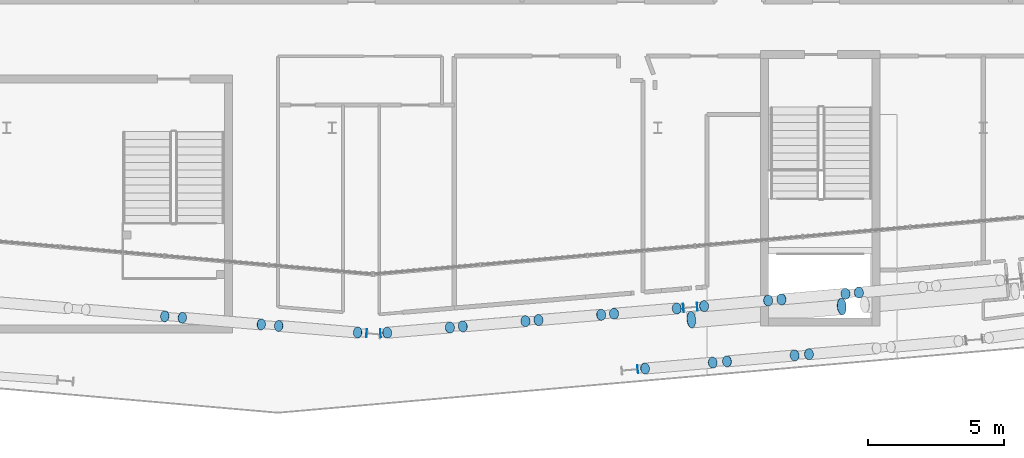
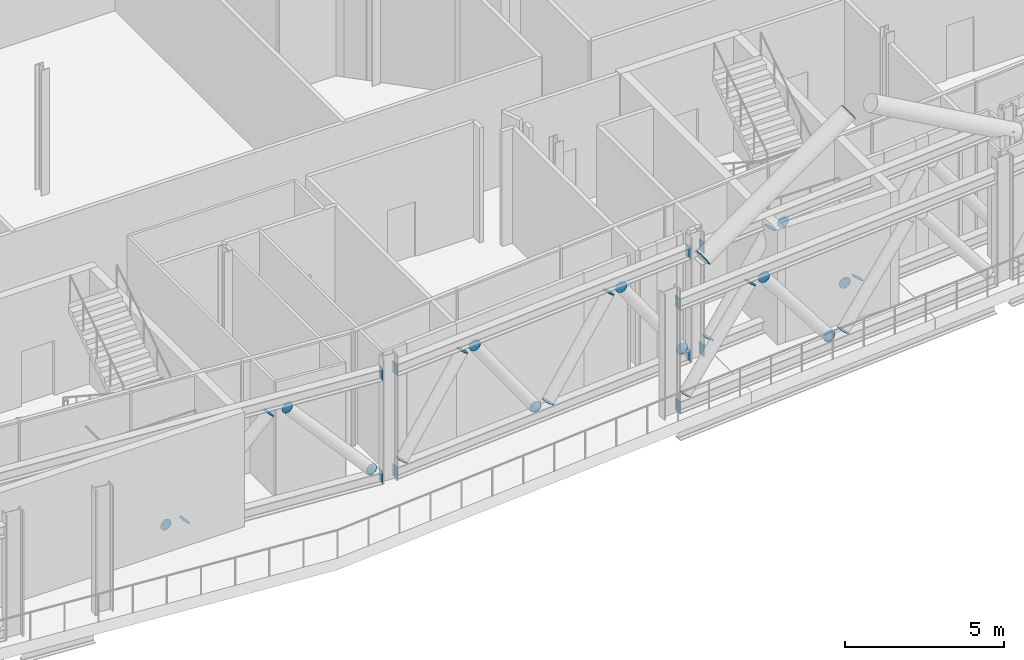
# One storey, part 23 of 35: 35 discrete accessories.
"""IFC4 building model written with IfcOpenShell, lengths in metres."""

from ifc_helpers import new_model, si_unit, direction, frame, origin, origin_2d, place, context, subcontext, project, spatial, rectangle, circle, extrude, material, material_profile, profile_set, type_object, element, save


model = new_model("IFC4")

# Units and contexts
model_context = context("Model", 3, precision=1e-05, world=origin(), true_north=direction((0.0, 1.0)))
body_context = subcontext(model_context, "Body", "Model", "MODEL_VIEW")
ifc_project = project(units=[si_unit("LENGTHUNIT", "METRE"), si_unit("AREAUNIT", "SQUARE_METRE"), si_unit("VOLUMEUNIT", "CUBIC_METRE"), si_unit("PLANEANGLEUNIT", "RADIAN"), si_unit("MASSUNIT", "GRAM", prefix="KILO")], contexts=[model_context])

# Site, building, storey
site_placement = place(None, origin())
site = spatial("IfcSite", under=ifc_project, at=site_placement, CompositionType="ELEMENT")
building_placement = place(site_placement, origin())
building = spatial("IfcBuilding", under=site, at=building_placement, Name="Wharfspan Tower", CompositionType="ELEMENT")
storey_placement = place(building_placement, frame((0.0, 0.0, 202.300049)))
storey = spatial("IfcBuildingStorey", under=building, at=storey_placement, Name="L50", CompositionType="ELEMENT", Elevation=202.300049)

# Discrete accessories
ifc_material_1 = material(Name="Steel S460NH", Category="steel")
ifc_material_profile_1 = material_profile(ifc_material_1, circle(Radius=0.203125, at=origin_2d()))
ifc_profile_set_1 = profile_set([ifc_material_profile_1], Name="Steel S460NH")
discrete_accessory_type_1 = type_object("IfcDiscreteAccessoryType", Name="End plate CHS 406x16", PredefinedType="BRACKET", material=ifc_profile_set_1)
for number, where, z_axis, x_axis, name in (
    (1, (41.827148, 4.550049, 0.586182), (0.656005, -0.048593, -0.753191), (0.073872, 0.997271, 0.0), "End plate CHS 406x16"),
    (2, (42.470459, 4.49585, 0.578613), (0.656005, -0.048593, 0.753191), (0.073872, 0.997271, 0.0), "End plate CHS 406x16"),
):
    element("IfcDiscreteAccessory", number, at=place(storey_placement, frame(where, z_axis=z_axis, x_axis=x_axis)), inside=storey, type_object=discrete_accessory_type_1, Name=name, PredefinedType="BRACKET", context=body_context, shape_type="SweptSolid", body=[
        extrude(circle(Radius=0.203125, at=origin_2d()), origin(), (0.0, 0.0, 1.0), 0.01001),
    ])
discrete_accessory_1_placement = place(storey_placement, frame((45.381836, 4.250732, 3.813721), z_axis=(0.669519, -0.047823, 0.741254), x_axis=(0.071246, 0.997455, 1e-06)))
element("IfcDiscreteAccessory", 3, at=discrete_accessory_1_placement, inside=storey, type_object=discrete_accessory_type_1, Name="End plate CHS 406x16", PredefinedType="BRACKET", context=body_context, shape_type="SweptSolid", body=[
    extrude(circle(Radius=0.203125, at=origin_2d()), origin(), (0.0, 0.0, 1.0), 0.010254),
])
for number, where, z_axis, x_axis, name in (
    (4, (46.025391, 4.196533, 3.821289), (0.656005, -0.048593, -0.753191), (0.073872, 0.997271, 0.0), "End plate CHS 406x16"),
    (5, (48.936768, 3.951416, 0.586182), (0.656005, -0.048593, -0.753191), (0.073872, 0.997271, 0.0), "End plate CHS 406x16"),
    (6, (50.023682, 3.943848, 0.559326), (0.587466, 0.048956, 0.807766), (-0.083046, 0.996542, 0.0), "End plate CHS 406x16"),
):
    element("IfcDiscreteAccessory", number, at=place(storey_placement, frame(where, z_axis=z_axis, x_axis=x_axis)), inside=storey, type_object=discrete_accessory_type_1, Name=name, PredefinedType="BRACKET", context=body_context, shape_type="SweptSolid", body=[
        extrude(circle(Radius=0.203125, at=origin_2d()), origin(), (0.0, 0.0, 1.0), 0.01001),
    ])
discrete_accessory_2_placement = place(storey_placement, frame((52.334473, 4.137207, 3.83252), z_axis=(0.571087, 0.04966, 0.819386), x_axis=(-0.08663, 0.99624, 0.0)))
element("IfcDiscreteAccessory", 7, at=discrete_accessory_2_placement, inside=storey, type_object=discrete_accessory_type_1, Name="End plate CHS 406x16", PredefinedType="BRACKET", context=body_context, shape_type="SweptSolid", body=[
    extrude(circle(Radius=0.203125, at=origin_2d()), origin(), (0.0, 0.0, 1.0), 0.009766),
])
discrete_accessory_3_placement = place(storey_placement, frame((52.812012, 4.177246, 3.840576), z_axis=(0.587466, 0.048956, -0.807766), x_axis=(-0.083046, 0.996542, 0.0)))
element("IfcDiscreteAccessory", 8, at=discrete_accessory_3_placement, inside=storey, type_object=discrete_accessory_type_1, Name="End plate CHS 406x16", PredefinedType="BRACKET", context=body_context, shape_type="SweptSolid", body=[
    extrude(circle(Radius=0.203125, at=origin_2d()), origin(), (0.0, 0.0, 1.0), 0.01001),
])
for number, where, z_axis, x_axis, name in (
    (9, (55.122803, 4.370605, 0.567383), (0.571087, 0.04966, -0.819386), (-0.08663, 0.99624, 0.0), "End plate CHS 406x16"),
    (10, (55.600586, 4.410645, 0.559326), (0.571087, 0.04966, 0.819386), (-0.08663, 0.99624, 0.0), "End plate CHS 406x16"),
):
    element("IfcDiscreteAccessory", number, at=place(storey_placement, frame(where, z_axis=z_axis, x_axis=x_axis)), inside=storey, type_object=discrete_accessory_type_1, Name=name, PredefinedType="BRACKET", context=body_context, shape_type="SweptSolid", body=[
        extrude(circle(Radius=0.203125, at=origin_2d()), origin(), (0.0, 0.0, 1.0), 0.009766),
    ])
discrete_accessory_4_placement = place(storey_placement, frame((57.911133, 4.604004, 3.83252), z_axis=(0.587466, 0.048956, 0.807766), x_axis=(-0.083046, 0.996542, 0.0)))
element("IfcDiscreteAccessory", 11, at=discrete_accessory_4_placement, inside=storey, type_object=discrete_accessory_type_1, Name="End plate CHS 406x16", PredefinedType="BRACKET", context=body_context, shape_type="SweptSolid", body=[
    extrude(circle(Radius=0.203125, at=origin_2d()), origin(), (0.0, 0.0, 1.0), 0.01001),
])
discrete_accessory_5_placement = place(storey_placement, frame((58.388916, 4.644043, 3.840576), z_axis=(0.571087, 0.04966, -0.819386), x_axis=(-0.08663, 0.99624, 0.0)))
element("IfcDiscreteAccessory", 12, at=discrete_accessory_5_placement, inside=storey, type_object=discrete_accessory_type_1, Name="End plate CHS 406x16", PredefinedType="BRACKET", context=body_context, shape_type="SweptSolid", body=[
    extrude(circle(Radius=0.203125, at=origin_2d()), origin(), (0.0, 0.0, 1.0), 0.009766),
])
discrete_accessory_6_placement = place(storey_placement, frame((60.699463, 4.837158, 0.567383), z_axis=(0.587466, 0.048956, -0.807766), x_axis=(-0.083046, 0.996542, 0.0)))
element("IfcDiscreteAccessory", 13, at=discrete_accessory_6_placement, inside=storey, type_object=discrete_accessory_type_1, Name="End plate CHS 406x16", PredefinedType="BRACKET", context=body_context, shape_type="SweptSolid", body=[
    extrude(circle(Radius=0.203125, at=origin_2d()), origin(), (0.0, 0.0, 1.0), 0.01001),
])
for number, where, z_axis, x_axis, name in (
    (14, (61.706055, 4.92334, 0.561035), (0.576018, 0.048002, 0.816026), (-0.083046, 0.996542, 0.0), "End plate CHS 406x16"),
    (15, (64.067383, 5.130127, 3.830566), (0.576018, 0.048002, 0.816026), (-0.083046, 0.996542, 0.0), "End plate CHS 406x16"),
    (16, (64.558838, 5.173096, 3.838867), (0.576018, 0.048002, -0.816026), (-0.083046, 0.996542, 0.0), "End plate CHS 406x16"),
    (17, (66.920166, 5.379639, 0.569336), (0.576018, 0.048002, -0.816026), (-0.083046, 0.996542, 0.0), "End plate CHS 406x16"),
    (18, (67.411621, 5.422607, 0.561035), (0.576018, 0.048002, 0.816026), (-0.083046, 0.996542, 0.0), "End plate CHS 406x16"),
    (19, (59.530273, 2.623291, 0.565674), (0.602279, 0.072273, 0.795008), (-0.119146, 0.992879, 1e-06), "End plate CHS 406x16"),
):
    element("IfcDiscreteAccessory", number, at=place(storey_placement, frame(where, z_axis=z_axis, x_axis=x_axis)), inside=storey, type_object=discrete_accessory_type_1, Name=name, PredefinedType="BRACKET", context=body_context, shape_type="SweptSolid", body=[
        extrude(circle(Radius=0.203125, at=origin_2d()), origin(), (0.0, 0.0, 1.0), 0.010254),
    ])
for number, where, z_axis, x_axis, name in (
    (20, (62.023682, 2.841553, 3.826172), (0.603154, 0.048252, 0.796164), (-0.079745, 0.996819, 0.0), "End plate CHS 406x16"),
    (21, (62.551025, 2.887695, 3.834229), (0.603154, 0.048252, -0.796164), (-0.079745, 0.996819, 0.0), "End plate CHS 406x16"),
    (22, (65.044678, 3.105957, 0.57373), (0.603154, 0.048252, -0.796164), (-0.079745, 0.996819, 0.0), "End plate CHS 406x16"),
    (23, (65.572021, 3.1521, 0.565674), (0.603154, 0.048252, 0.796164), (-0.079745, 0.996819, 0.0), "End plate CHS 406x16"),
):
    element("IfcDiscreteAccessory", number, at=place(storey_placement, frame(where, z_axis=z_axis, x_axis=x_axis)), inside=storey, type_object=discrete_accessory_type_1, Name=name, PredefinedType="BRACKET", context=body_context, shape_type="SweptSolid", body=[
        extrude(circle(Radius=0.203125, at=origin_2d()), origin(), (0.0, 0.0, 1.0), 0.01001),
    ])
ifc_material_profile_2 = material_profile(ifc_material_1, circle(Radius=0.304932, at=origin_2d()))
ifc_profile_set_2 = profile_set([ifc_material_profile_2], Name="Steel S460NH")
discrete_accessory_type_2 = type_object("IfcDiscreteAccessoryType", Name="End plate CHS 610x25", PredefinedType="BRACKET", material=ifc_profile_set_2)
for number, where, z_axis, x_axis, name in (
    (24, (61.233398, 4.425293, 4.094727), (0.855186, 0.073302, 0.513112), (-0.085402, 0.996345, 1e-06), "End plate CHS 610x25"),
    (25, (66.778564, 4.9104, 7.44043), (0.844416, 0.072379, 0.530776), (-0.085402, 0.99635, 0.0), "End plate CHS 610x25"),
):
    element("IfcDiscreteAccessory", number, at=place(storey_placement, frame(where, z_axis=z_axis, x_axis=x_axis)), inside=storey, type_object=discrete_accessory_type_2, Name=name, PredefinedType="BRACKET", context=body_context, shape_type="SweptSolid", body=[
        extrude(circle(Radius=0.304932, at=origin_2d()), origin(), (0.0, 0.0, 1.0), 0.01001),
    ])
ifc_material_2 = material(Name="Steel S355J2", Category="steel")
ifc_material_profile_3 = material_profile(ifc_material_2, rectangle(XDim=0.300049, YDim=0.449951, at=origin_2d()))
ifc_profile_set_3 = profile_set([ifc_material_profile_3], Name="Steel S355J2")
discrete_accessory_type_3 = type_object("IfcDiscreteAccessoryType", Name="End plate HEB 450", PredefinedType="BRACKET", material=ifc_profile_set_3)
for number, where, z_axis, x_axis, name in (
    (26, (49.261719, 3.924072, 4.175049), (0.995275, -0.0971, 0.0), (0.0971, 0.995275, 0.0), "End plate HEB 450"),
    (27, (49.261719, 3.924072, 0.224854), (0.995275, -0.0971, 0.0), (0.0971, 0.995275, 0.0), "End plate HEB 450"),
    (28, (49.777832, 3.92334, 4.175049), (0.995275, 0.0971, 0.0), (-0.0971, 0.995275, 0.0), "End plate HEB 450"),
    (29, (60.941162, 4.857422, 4.175049), (0.995275, 0.0971, 0.0), (-0.0971, 0.995275, 0.0), "End plate HEB 450"),
    (30, (49.777832, 3.92334, 0.224854), (0.995275, 0.0971, 0.0), (-0.0971, 0.995275, 0.0), "End plate HEB 450"),
    (31, (60.941162, 4.857422, 0.224854), (0.995275, 0.0971, 0.0), (-0.0971, 0.995275, 0.0), "End plate HEB 450"),
    (32, (61.453369, 4.901367, 4.175049), (0.997334, 0.072976, 0.0), (-0.072976, 0.997334, 0.0), "End plate HEB 450"),
    (33, (61.453369, 4.901367, 0.224854), (0.997334, 0.072976, 0.0), (-0.072976, 0.997334, 0.0), "End plate HEB 450"),
    (34, (59.259521, 2.599609, 4.175049), (0.995275, 0.0971, 0.0), (-0.0971, 0.995275, 0.0), "End plate HEB 450"),
    (35, (59.259521, 2.599609, 0.224854), (0.995275, 0.0971, 0.0), (-0.0971, 0.995275, 0.0), "End plate HEB 450"),
):
    element("IfcDiscreteAccessory", number, at=place(storey_placement, frame(where, z_axis=z_axis, x_axis=x_axis)), inside=storey, type_object=discrete_accessory_type_3, Name=name, PredefinedType="BRACKET", context=body_context, shape_type="SweptSolid", body=[
        extrude(rectangle(XDim=0.300049, YDim=0.449951, at=origin_2d()), origin(), (0.0, 0.0, 1.0), 0.01001),
    ])

save(model, "model.ifc")
